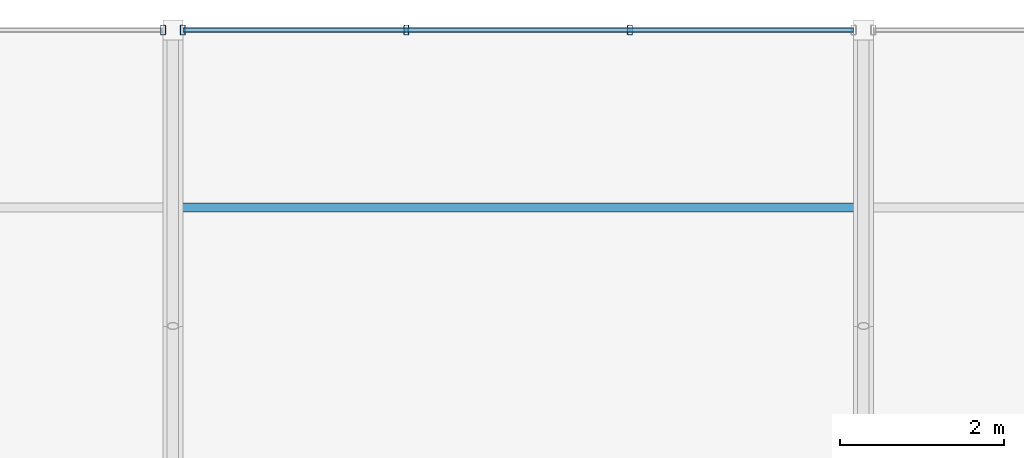
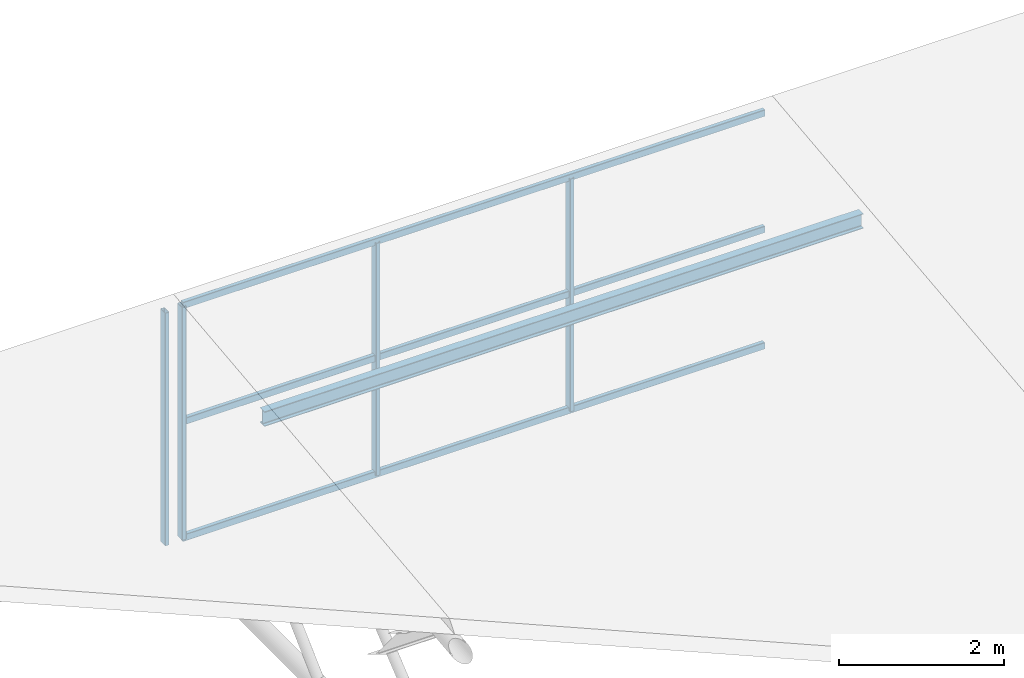
# One storey, part 51 of 77: 7 members, 1 beam, 2 elements without a shape of their own.
"""IFC4 building model written with IfcOpenShell, lengths in metres."""

import ifcopenshell
import ifcopenshell.guid

model = None  # the IFC model being written
_history = None  # IfcOwnerHistory: only IFC2X3 demands one
_inside = {}  # id of a spatial element -> (the spatial element, [elements in it])
_under = {}  # id of a project, library or spatial element -> (it, [spatial elements below it])
_declared = {}  # id of a project -> (the project, [libraries it declares])
_typed = {}  # id of a type object -> (the type object, [elements of that type])
_made_of = {}  # id of a material, layer set ... -> (it, [elements and type objects made of it])


def new_model(schema):
    """Start an empty IFC model of exactly this schema.

    Asked for "IFC4X3", IfcOpenShell would pick the latest addendum, in which some entities
    have other attributes; the version numbers below select the first issue.
    IFC2X3 requires an IfcOwnerHistory on every rooted entity: one is made here for all.
    """
    global model, _history
    if schema == "IFC4X3":
        model = ifcopenshell.file(schema_version=(4, 3, 0, 0))
    else:
        model = ifcopenshell.file(schema=schema)
    _inside.clear()
    _under.clear()
    _declared.clear()
    _typed.clear()
    _made_of.clear()
    _history = None
    if model.schema == "IFC2X3":
        org = make("IfcOrganization", Name="unknown")
        user = make(
            "IfcPersonAndOrganization",
            ThePerson=make("IfcPerson", FamilyName="unknown"),
            TheOrganization=org,
        )
        app = make(
            "IfcApplication",
            ApplicationDeveloper=org,
            Version="unknown",
            ApplicationFullName="unknown",
            ApplicationIdentifier="unknown",
        )
        _history = make(
            "IfcOwnerHistory",
            OwningUser=user,
            OwningApplication=app,
            ChangeAction="ADDED",
            CreationDate=0,
        )
    return model


def make(cls, **values):
    """One entity of the class cls with the attributes given. An attribute that is None is left unset."""
    return model.create_entity(
        cls, **{name: value for name, value in values.items() if value is not None}
    )


def rooted(cls, **values):
    """An entity with a GlobalId (a new one), such as an element, a storey or a relation."""
    return make(cls, GlobalId=ifcopenshell.guid.new(), OwnerHistory=_history, **values)


def si_unit(unit_type, name, prefix=None):
    """IfcSIUnit, for example si_unit("LENGTHUNIT", "METRE", prefix="MILLI")."""
    return make("IfcSIUnit", UnitType=unit_type, Prefix=prefix, Name=name)


def derived_unit(unit_type, elements):
    """IfcDerivedUnit: a product of units, each with its exponent."""
    return make(
        "IfcDerivedUnit",
        Elements=[
            make("IfcDerivedUnitElement", Unit=unit, Exponent=power)
            for unit, power in elements
        ],
        UnitType=unit_type,
    )


def assignment(units):
    """IfcUnitAssignment: the units of a project."""
    return None if units is None else make("IfcUnitAssignment", Units=units)


def point(xyz):
    """IfcCartesianPoint."""
    return None if xyz is None else make("IfcCartesianPoint", Coordinates=xyz)


def direction(xyz):
    """IfcDirection."""
    return None if xyz is None else make("IfcDirection", DirectionRatios=xyz)


def frame(location, z_axis=None, x_axis=None):
    """IfcAxis2Placement3D, a coordinate frame: its origin and axes. An axis left out is left unset."""
    return make(
        "IfcAxis2Placement3D",
        Location=point(location),
        Axis=direction(z_axis),
        RefDirection=direction(x_axis),
    )


def frame_2d(location, x_axis=None):
    """IfcAxis2Placement2D, a coordinate frame in the plane: its origin and x axis."""
    return make(
        "IfcAxis2Placement2D", Location=point(location), RefDirection=direction(x_axis)
    )


def origin():
    """The frame at (0, 0, 0) with its axes left unset."""
    return frame((0.0, 0.0, 0.0))


def origin_2d():
    """The frame at (0, 0) in the plane with its x axis left unset."""
    return frame_2d((0.0, 0.0))


def place(relative_to, where):
    """IfcLocalPlacement: puts the frame where relative to a parent placement (None: the world)."""
    return make(
        "IfcLocalPlacement", PlacementRelTo=relative_to, RelativePlacement=where
    )


def context(
    kind, dimensions, precision=None, world=None, true_north=None, identifier=None
):
    """IfcGeometricRepresentationContext, for example the 3D "Model" context."""
    return make(
        "IfcGeometricRepresentationContext",
        ContextIdentifier=identifier,
        ContextType=kind,
        CoordinateSpaceDimension=dimensions,
        Precision=precision,
        WorldCoordinateSystem=world,
        TrueNorth=true_north,
    )


def subcontext(parent, identifier, kind, view, scale=None):
    """IfcGeometricRepresentationSubContext, for example "Body" below "Model"."""
    return make(
        "IfcGeometricRepresentationSubContext",
        ContextIdentifier=identifier,
        ContextType=kind,
        ParentContext=parent,
        TargetScale=scale,
        TargetView=view,
    )


def project(units=None, contexts=None):
    """IfcProject with its units and contexts."""
    return rooted(
        "IfcProject",
        Name="project",
        RepresentationContexts=contexts,
        UnitsInContext=assignment(units),
    )


def spatial(cls, under=None, at=None, **own):
    """A site, building, storey or space (cls), placed at a placement, below another one or the project."""
    s = rooted(cls, ObjectPlacement=at, **own)
    if under is not None:
        _under.setdefault(under.id(), (under, []))[1].append(s)
    return s


def profile(cls, at=None, kind="AREA", **sizes):
    """A parametric profile (cls). Its sizes go by their IFC names, for example OverallWidth=200.0."""
    return make(cls, ProfileType=kind, Position=at, **sizes)


def hollow_rectangle(**sizes):
    """IfcRectangleHollowProfileDef."""
    return profile("IfcRectangleHollowProfileDef", **sizes)


def i_section(**sizes):
    """IfcIShapeProfileDef."""
    return profile("IfcIShapeProfileDef", **sizes)


def extrude(swept, where, along, depth):
    """IfcExtrudedAreaSolid: the profile swept, set in the frame where, extruded along a direction by depth."""
    return make(
        "IfcExtrudedAreaSolid",
        SweptArea=swept,
        Position=where,
        ExtrudedDirection=direction(along),
        Depth=depth,
    )


def shape(context_of_items, identifier, shape_type, items):
    """IfcShapeRepresentation: the items that make up one representation, for example the "Body"."""
    return make(
        "IfcShapeRepresentation",
        ContextOfItems=context_of_items,
        RepresentationIdentifier=identifier,
        RepresentationType=shape_type,
        Items=items,
    )


def material(Name=None, Category=None):
    """IfcMaterial."""
    return make("IfcMaterial", Name=Name, Category=Category)


def material_profile(
    of_material, cross_section, Name=None, Category=None, Priority=None
):
    """IfcMaterialProfile: a cross section and its material."""
    return make(
        "IfcMaterialProfile",
        Name=Name,
        Material=of_material,
        Profile=cross_section,
        Priority=Priority,
        Category=Category,
    )


def profile_set(profiles, Name=None, composite=None):
    """IfcMaterialProfileSet."""
    return make(
        "IfcMaterialProfileSet",
        Name=Name,
        MaterialProfiles=profiles,
        CompositeProfile=composite,
    )


def made_of(thing, what):
    """Note that an element or type object is made of a material, layer set ...; save() writes the relation."""
    if what is not None:
        _made_of.setdefault(what.id(), (what, []))[1].append(thing)
    return thing


def type_object(cls, material=None, **own):
    """A type object (cls), such as IfcWallType, which elements share."""
    return made_of(rooted(cls, **own), material)


def element(
    cls,
    number,
    at=None,
    inside=None,
    cuts=None,
    type_object=None,
    material=None,
    context=None,
    identifier="Body",
    shape_type=None,
    held_by="IfcProductDefinitionShape",
    body=None,
    shapes=None,
    **own,
):
    """One element of the class cls, such as IfcWall. Its Tag is "e" and its number.

    at: its placement. inside: the storey or other place that contains it. cuts: it is an
    opening in that element (IfcRelVoidsElement). A single representation is given by context,
    identifier, shape_type and body (its items); several are given by shapes. held_by: the class
    of the entity that holds the representations. save() writes the other relations.
    """
    e = rooted(cls, Tag="e%d" % number, ObjectPlacement=at, **own)
    if body is not None:
        shapes = [shape(context, identifier, shape_type, body)]
    if shapes is not None:
        e.Representation = make(held_by, Representations=shapes)
    if inside is not None:
        _inside.setdefault(inside.id(), (inside, []))[1].append(e)
    if cuts is not None:
        rooted(
            "IfcRelVoidsElement", RelatingBuildingElement=cuts, RelatedOpeningElement=e
        )
    if type_object is not None:
        _typed.setdefault(type_object.id(), (type_object, []))[1].append(e)
    return made_of(e, material)


def aggregate(whole, parts):
    """IfcRelAggregates: a whole, such as a stair, and the parts it consists of."""
    return rooted("IfcRelAggregates", RelatingObject=whole, RelatedObjects=parts)


def save(model, path):
    """Write the relations noted so far, then the file.

    IfcRelAggregates (storeys below a building ...), IfcRelContainedInSpatialStructure (elements
    in a storey), IfcRelDefinesByType, IfcRelAssociatesMaterial and IfcRelDeclares: one each for
    every whole, place, type object, material and project.
    """
    for whole, parts in _under.values():
        aggregate(whole, parts)
    for where, things in _inside.values():
        rooted(
            "IfcRelContainedInSpatialStructure",
            RelatedElements=things,
            RelatingStructure=where,
        )
    for kind, things in _typed.values():
        rooted("IfcRelDefinesByType", RelatedObjects=things, RelatingType=kind)
    for what, things in _made_of.values():
        rooted("IfcRelAssociatesMaterial", RelatedObjects=things, RelatingMaterial=what)
    for by, libraries in _declared.values():
        rooted("IfcRelDeclares", RelatingContext=by, RelatedDefinitions=libraries)
    model.write(path)


model = new_model("IFC4")

# Units and contexts
model_context = context("Model", 3, precision=1e-05, world=origin(), true_north=direction((0.0, 1.0)))
body_context = subcontext(model_context, "Body", "Model", "MODEL_VIEW")
ifc_project = project(units=[si_unit("LENGTHUNIT", "METRE"), si_unit("AREAUNIT", "SQUARE_METRE"), si_unit("VOLUMEUNIT", "CUBIC_METRE"), si_unit("PLANEANGLEUNIT", "RADIAN"), si_unit("MASSUNIT", "GRAM", prefix="KILO"), derived_unit("THERMALTRANSMITTANCEUNIT", [(si_unit("MASSUNIT", "GRAM", prefix="KILO"), 1), (si_unit("TIMEUNIT", "SECOND"), -3), (si_unit("THERMODYNAMICTEMPERATUREUNIT", "KELVIN"), -1)])], contexts=[model_context])

# Site, building, storey
site_placement = place(None, origin())
site = spatial("IfcSite", under=ifc_project, at=site_placement, CompositionType="ELEMENT")
building_placement = place(site_placement, origin())
building = spatial("IfcBuilding", under=site, at=building_placement, Name="Kharveza Railside Sports Centre", CompositionType="ELEMENT")
storey_placement = place(building_placement, frame((0.0, 0.0, 17.10009765625)))
storey = spatial("IfcBuildingStorey", under=building, at=storey_placement, Name="L04", CompositionType="ELEMENT", Elevation=17.10009765625)

# Beam
ifc_material_1 = material(Name="Steel S275JR", Category="steel")
ifc_material_profile_1 = material_profile(ifc_material_1, i_section(OverallWidth=0.110107421875, OverallDepth=0.219970703125, WebThickness=0.005859375, FlangeThickness=0.00927734375, FilletRadius=0.011962890625, at=origin_2d()), Name="IPE 220")
ifc_profile_set_1 = profile_set([ifc_material_profile_1], Name="Steel S275JR")
beam_type = type_object("IfcBeamType", Name="BM-J02", PredefinedType="JOIST", material=ifc_profile_set_1)
beam_placement = place(storey_placement, frame((8.39990234375, 105.840087890625, 3.135009765625), z_axis=(1.0, 0.0, 0.0), x_axis=(0.0, 1.0, 0.0)))
element("IfcBeam", 1, at=beam_placement, inside=storey, type_object=beam_type, Name="BM-V3PUR-2-5", PredefinedType="JOIST", context=body_context, shape_type="SweptSolid", body=[
    extrude(i_section(OverallWidth=0.110107421875, OverallDepth=0.219970703125, WebThickness=0.005859375, FlangeThickness=0.00927734375, FilletRadius=0.011962890625, at=origin_2d()), origin(), (0.0, 0.0, 1.0), 8.400146484375),
])

# Curtain wall, member
ifc_material_2 = material(Name="Low-E solar-control laminated glass", Category="glass")
curtain_wall_type = type_object("IfcCurtainWallType", Name="CW-NL03", PredefinedType="NOTDEFINED", material=ifc_material_2)
curtain_wall_1_placement = place(storey_placement, origin())
curtain_wall_1 = element("IfcCurtainWall", 2, at=curtain_wall_1_placement, inside=storey, type_object=curtain_wall_type, Name="CW-V3NL-1", PredefinedType="NOTDEFINED")
ifc_material_3 = material(Name="Anodised aluminium 6063-T6", Category="aluminium")
ifc_material_profile_2 = material_profile(ifc_material_3, hollow_rectangle(XDim=0.06005859375, YDim=0.1201171875, WallThickness=0.0048828125, InnerFilletRadius=0.0048828125, OuterFilletRadius=0.010009765625, at=origin_2d()), Name="RHS 60x120x5.0")
ifc_profile_set_2 = profile_set([ifc_material_profile_2], Name="Anodised aluminium 6063-T6")
member_type_1 = type_object("IfcMemberType", Name="CW-ML05", PredefinedType="MULLION", material=ifc_profile_set_2)
member_1_placement = place(storey_placement, frame((8.280029296875, 108.0, 0.0), z_axis=(0.0, 0.0, 1.0), x_axis=(1.0, 0.0, 0.0)))
member_1 = element("IfcMember", 3, at=member_1_placement, type_object=member_type_1, Name="CW-V3NL-1-ML4", PredefinedType="MULLION", context=body_context, shape_type="SweptSolid", body=[
    extrude(hollow_rectangle(XDim=0.06005859375, YDim=0.1201171875, WallThickness=0.0048828125, InnerFilletRadius=0.0048828125, OuterFilletRadius=0.010009765625, at=origin_2d()), origin(), (0.0, 0.0, 1.0), 3.449951171875),
])
aggregate(curtain_wall_1, [member_1])

# Curtain wall, members
curtain_wall_2_placement = place(storey_placement, origin())
curtain_wall_2 = element("IfcCurtainWall", 4, at=curtain_wall_2_placement, inside=storey, type_object=curtain_wall_type, Name="CW-V3NL-2", PredefinedType="NOTDEFINED")
member_2_placement = place(storey_placement, frame((8.52001953125, 108.0, 0.0), z_axis=(0.0, 0.0, 1.0), x_axis=(1.0, 0.0, 0.0)))
member_2 = element("IfcMember", 5, at=member_2_placement, type_object=member_type_1, Name="CW-V3NL-2-ML1", PredefinedType="MULLION", context=body_context, shape_type="SweptSolid", body=[
    extrude(hollow_rectangle(XDim=0.06005859375, YDim=0.1201171875, WallThickness=0.0048828125, InnerFilletRadius=0.0048828125, OuterFilletRadius=0.010009765625, at=origin_2d()), origin(), (0.0, 0.0, 1.0), 3.449951171875),
])
member_3_placement = place(storey_placement, frame((11.239990234375, 108.0, 0.0), z_axis=(0.0, 0.0, 1.0), x_axis=(1.0, 0.0, 0.0)))
member_3 = element("IfcMember", 6, at=member_3_placement, type_object=member_type_1, Name="CW-V3NL-2-ML2", PredefinedType="MULLION", context=body_context, shape_type="SweptSolid", body=[
    extrude(hollow_rectangle(XDim=0.06005859375, YDim=0.1201171875, WallThickness=0.0048828125, InnerFilletRadius=0.0048828125, OuterFilletRadius=0.010009765625, at=origin_2d()), origin(), (0.0, 0.0, 1.0), 3.449951171875),
])
member_4_placement = place(storey_placement, frame((13.9599609375, 108.0, 0.0), z_axis=(0.0, 0.0, 1.0), x_axis=(1.0, 0.0, 0.0)))
member_4 = element("IfcMember", 7, at=member_4_placement, type_object=member_type_1, Name="CW-V3NL-2-ML3", PredefinedType="MULLION", context=body_context, shape_type="SweptSolid", body=[
    extrude(hollow_rectangle(XDim=0.06005859375, YDim=0.1201171875, WallThickness=0.0048828125, InnerFilletRadius=0.0048828125, OuterFilletRadius=0.010009765625, at=origin_2d()), origin(), (0.0, 0.0, 1.0), 3.449951171875),
])
ifc_material_profile_3 = material_profile(ifc_material_3, hollow_rectangle(XDim=0.06005859375, YDim=0.10009765625, WallThickness=0.00390625, InnerFilletRadius=0.00390625, OuterFilletRadius=0.008056640625, at=origin_2d()), Name="RHS 60x100x4.0")
ifc_profile_set_3 = profile_set([ifc_material_profile_3], Name="Anodised aluminium 6063-T6")
member_type_2 = type_object("IfcMemberType", Name="CW-TR05", PredefinedType="USERDEFINED", material=ifc_profile_set_3)
member_5_placement = place(storey_placement, frame((8.52001953125, 108.0, 0.0), z_axis=(1.0, 0.0, 0.0), x_axis=(0.0, 1.0, 0.0)))
member_5 = element("IfcMember", 8, at=member_5_placement, type_object=member_type_2, Name="CW-V3NL-2-TR1", ObjectType="TRANSOM", PredefinedType="USERDEFINED", context=body_context, shape_type="SweptSolid", body=[
    extrude(hollow_rectangle(XDim=0.06005859375, YDim=0.10009765625, WallThickness=0.00390625, InnerFilletRadius=0.00390625, OuterFilletRadius=0.008056640625, at=origin_2d()), origin(), (0.0, 0.0, 1.0), 8.159912109375),
])
member_6_placement = place(storey_placement, frame((8.52001953125, 108.0, 1.724853515625), z_axis=(1.0, 0.0, 0.0), x_axis=(0.0, 1.0, 0.0)))
member_6 = element("IfcMember", 9, at=member_6_placement, type_object=member_type_2, Name="CW-V3NL-2-TR2", ObjectType="TRANSOM", PredefinedType="USERDEFINED", context=body_context, shape_type="SweptSolid", body=[
    extrude(hollow_rectangle(XDim=0.06005859375, YDim=0.10009765625, WallThickness=0.00390625, InnerFilletRadius=0.00390625, OuterFilletRadius=0.008056640625, at=origin_2d()), origin(), (0.0, 0.0, 1.0), 8.159912109375),
])
member_7_placement = place(storey_placement, frame((8.52001953125, 108.0, 3.449951171875), z_axis=(1.0, 0.0, 0.0), x_axis=(0.0, 1.0, 0.0)))
member_7 = element("IfcMember", 10, at=member_7_placement, type_object=member_type_2, Name="CW-V3NL-2-TR3", ObjectType="TRANSOM", PredefinedType="USERDEFINED", context=body_context, shape_type="SweptSolid", body=[
    extrude(hollow_rectangle(XDim=0.06005859375, YDim=0.10009765625, WallThickness=0.00390625, InnerFilletRadius=0.00390625, OuterFilletRadius=0.008056640625, at=origin_2d()), origin(), (0.0, 0.0, 1.0), 8.159912109375),
])
aggregate(curtain_wall_2, [member_2, member_3, member_4, member_5, member_6, member_7])

save(model, "model.ifc")
